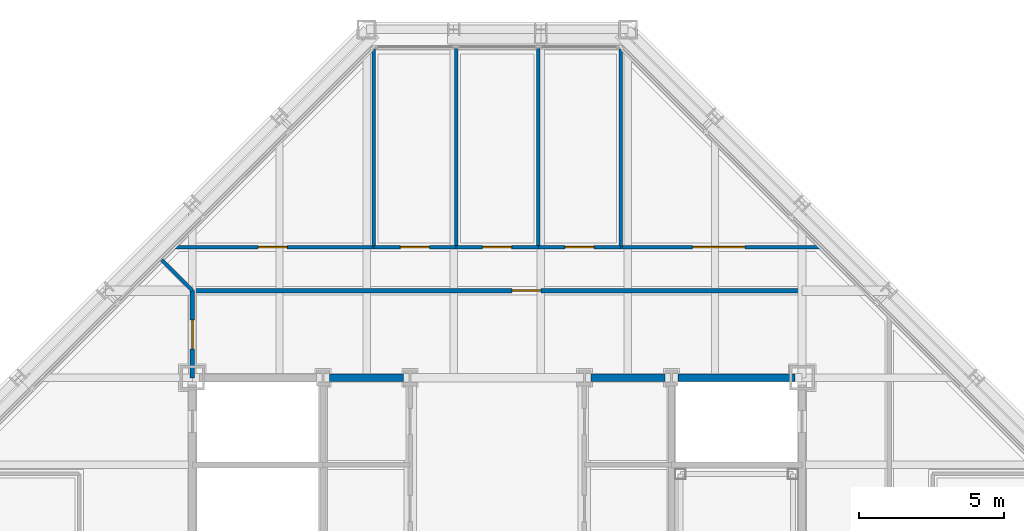
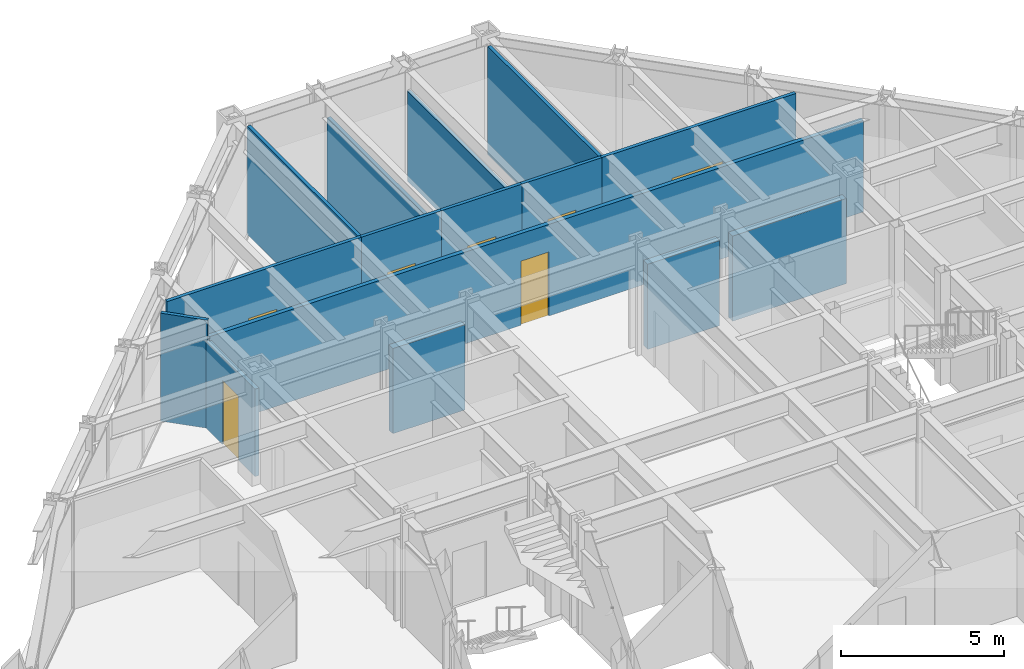
# One storey, part 12 of 15: 15 walls, 7 doors, 7 openings.
"""IFC4 building model written with IfcOpenShell, lengths in metres."""

import ifcopenshell
import ifcopenshell.guid

model = None  # the IFC model being written
_history = None  # IfcOwnerHistory: only IFC2X3 demands one
_inside = {}  # id of a spatial element -> (the spatial element, [elements in it])
_under = {}  # id of a project, library or spatial element -> (it, [spatial elements below it])
_declared = {}  # id of a project -> (the project, [libraries it declares])
_typed = {}  # id of a type object -> (the type object, [elements of that type])
_made_of = {}  # id of a material, layer set ... -> (it, [elements and type objects made of it])


def new_model(schema):
    """Start an empty IFC model of exactly this schema.

    Asked for "IFC4X3", IfcOpenShell would pick the latest addendum, in which some entities
    have other attributes; the version numbers below select the first issue.
    IFC2X3 requires an IfcOwnerHistory on every rooted entity: one is made here for all.
    """
    global model, _history
    if schema == "IFC4X3":
        model = ifcopenshell.file(schema_version=(4, 3, 0, 0))
    else:
        model = ifcopenshell.file(schema=schema)
    _inside.clear()
    _under.clear()
    _declared.clear()
    _typed.clear()
    _made_of.clear()
    _history = None
    if model.schema == "IFC2X3":
        org = make("IfcOrganization", Name="unknown")
        user = make(
            "IfcPersonAndOrganization",
            ThePerson=make("IfcPerson", FamilyName="unknown"),
            TheOrganization=org,
        )
        app = make(
            "IfcApplication",
            ApplicationDeveloper=org,
            Version="unknown",
            ApplicationFullName="unknown",
            ApplicationIdentifier="unknown",
        )
        _history = make(
            "IfcOwnerHistory",
            OwningUser=user,
            OwningApplication=app,
            ChangeAction="ADDED",
            CreationDate=0,
        )
    return model


def make(cls, **values):
    """One entity of the class cls with the attributes given. An attribute that is None is left unset."""
    return model.create_entity(
        cls, **{name: value for name, value in values.items() if value is not None}
    )


def rooted(cls, **values):
    """An entity with a GlobalId (a new one), such as an element, a storey or a relation."""
    return make(cls, GlobalId=ifcopenshell.guid.new(), OwnerHistory=_history, **values)


def si_unit(unit_type, name, prefix=None):
    """IfcSIUnit, for example si_unit("LENGTHUNIT", "METRE", prefix="MILLI")."""
    return make("IfcSIUnit", UnitType=unit_type, Prefix=prefix, Name=name)


def assignment(units):
    """IfcUnitAssignment: the units of a project."""
    return None if units is None else make("IfcUnitAssignment", Units=units)


def point(xyz):
    """IfcCartesianPoint."""
    return None if xyz is None else make("IfcCartesianPoint", Coordinates=xyz)


def direction(xyz):
    """IfcDirection."""
    return None if xyz is None else make("IfcDirection", DirectionRatios=xyz)


def frame(location, z_axis=None, x_axis=None):
    """IfcAxis2Placement3D, a coordinate frame: its origin and axes. An axis left out is left unset."""
    return make(
        "IfcAxis2Placement3D",
        Location=point(location),
        Axis=direction(z_axis),
        RefDirection=direction(x_axis),
    )


def frame_2d(location, x_axis=None):
    """IfcAxis2Placement2D, a coordinate frame in the plane: its origin and x axis."""
    return make(
        "IfcAxis2Placement2D", Location=point(location), RefDirection=direction(x_axis)
    )


def origin():
    """The frame at (0, 0, 0) with its axes left unset."""
    return frame((0.0, 0.0, 0.0))


def place(relative_to, where):
    """IfcLocalPlacement: puts the frame where relative to a parent placement (None: the world)."""
    return make(
        "IfcLocalPlacement", PlacementRelTo=relative_to, RelativePlacement=where
    )


def context(
    kind, dimensions, precision=None, world=None, true_north=None, identifier=None
):
    """IfcGeometricRepresentationContext, for example the 3D "Model" context."""
    return make(
        "IfcGeometricRepresentationContext",
        ContextIdentifier=identifier,
        ContextType=kind,
        CoordinateSpaceDimension=dimensions,
        Precision=precision,
        WorldCoordinateSystem=world,
        TrueNorth=true_north,
    )


def subcontext(parent, identifier, kind, view, scale=None):
    """IfcGeometricRepresentationSubContext, for example "Body" below "Model"."""
    return make(
        "IfcGeometricRepresentationSubContext",
        ContextIdentifier=identifier,
        ContextType=kind,
        ParentContext=parent,
        TargetScale=scale,
        TargetView=view,
    )


def project(units=None, contexts=None):
    """IfcProject with its units and contexts."""
    return rooted(
        "IfcProject",
        Name="project",
        RepresentationContexts=contexts,
        UnitsInContext=assignment(units),
    )


def spatial(cls, under=None, at=None, **own):
    """A site, building, storey or space (cls), placed at a placement, below another one or the project."""
    s = rooted(cls, ObjectPlacement=at, **own)
    if under is not None:
        _under.setdefault(under.id(), (under, []))[1].append(s)
    return s


def profile(cls, at=None, kind="AREA", **sizes):
    """A parametric profile (cls). Its sizes go by their IFC names, for example OverallWidth=200.0."""
    return make(cls, ProfileType=kind, Position=at, **sizes)


def rectangle(**sizes):
    """IfcRectangleProfileDef."""
    return profile("IfcRectangleProfileDef", **sizes)


def extrude(swept, where, along, depth):
    """IfcExtrudedAreaSolid: the profile swept, set in the frame where, extruded along a direction by depth."""
    return make(
        "IfcExtrudedAreaSolid",
        SweptArea=swept,
        Position=where,
        ExtrudedDirection=direction(along),
        Depth=depth,
    )


def shape(context_of_items, identifier, shape_type, items):
    """IfcShapeRepresentation: the items that make up one representation, for example the "Body"."""
    return make(
        "IfcShapeRepresentation",
        ContextOfItems=context_of_items,
        RepresentationIdentifier=identifier,
        RepresentationType=shape_type,
        Items=items,
    )


def material(Name=None, Category=None):
    """IfcMaterial."""
    return make("IfcMaterial", Name=Name, Category=Category)


def layer(
    of_material, thickness, ventilated=None, Name=None, Category=None, Priority=None
):
    """IfcMaterialLayer: one layer of a wall or slab, of a material (None: an air gap)."""
    return make(
        "IfcMaterialLayer",
        Material=of_material,
        LayerThickness=thickness,
        IsVentilated=ventilated,
        Name=Name,
        Category=Category,
        Priority=Priority,
    )


def layer_set(layers, Name=None):
    """IfcMaterialLayerSet."""
    return make("IfcMaterialLayerSet", MaterialLayers=layers, LayerSetName=Name)


def made_of(thing, what):
    """Note that an element or type object is made of a material, layer set ...; save() writes the relation."""
    if what is not None:
        _made_of.setdefault(what.id(), (what, []))[1].append(thing)
    return thing


def type_object(cls, material=None, **own):
    """A type object (cls), such as IfcWallType, which elements share."""
    return made_of(rooted(cls, **own), material)


def element(
    cls,
    number,
    at=None,
    inside=None,
    cuts=None,
    type_object=None,
    material=None,
    context=None,
    identifier="Body",
    shape_type=None,
    held_by="IfcProductDefinitionShape",
    body=None,
    shapes=None,
    **own,
):
    """One element of the class cls, such as IfcWall. Its Tag is "e" and its number.

    at: its placement. inside: the storey or other place that contains it. cuts: it is an
    opening in that element (IfcRelVoidsElement). A single representation is given by context,
    identifier, shape_type and body (its items); several are given by shapes. held_by: the class
    of the entity that holds the representations. save() writes the other relations.
    """
    e = rooted(cls, Tag="e%d" % number, ObjectPlacement=at, **own)
    if body is not None:
        shapes = [shape(context, identifier, shape_type, body)]
    if shapes is not None:
        e.Representation = make(held_by, Representations=shapes)
    if inside is not None:
        _inside.setdefault(inside.id(), (inside, []))[1].append(e)
    if cuts is not None:
        rooted(
            "IfcRelVoidsElement", RelatingBuildingElement=cuts, RelatedOpeningElement=e
        )
    if type_object is not None:
        _typed.setdefault(type_object.id(), (type_object, []))[1].append(e)
    return made_of(e, material)


def fill(opening, filler):
    """IfcRelFillsElement: the door or window that sits in an opening."""
    return rooted(
        "IfcRelFillsElement",
        RelatingOpeningElement=opening,
        RelatedBuildingElement=filler,
    )


def aggregate(whole, parts):
    """IfcRelAggregates: a whole, such as a stair, and the parts it consists of."""
    return rooted("IfcRelAggregates", RelatingObject=whole, RelatedObjects=parts)


def save(model, path):
    """Write the relations noted so far, then the file.

    IfcRelAggregates (storeys below a building ...), IfcRelContainedInSpatialStructure (elements
    in a storey), IfcRelDefinesByType, IfcRelAssociatesMaterial and IfcRelDeclares: one each for
    every whole, place, type object, material and project.
    """
    for whole, parts in _under.values():
        aggregate(whole, parts)
    for where, things in _inside.values():
        rooted(
            "IfcRelContainedInSpatialStructure",
            RelatedElements=things,
            RelatingStructure=where,
        )
    for kind, things in _typed.values():
        rooted("IfcRelDefinesByType", RelatedObjects=things, RelatingType=kind)
    for what, things in _made_of.values():
        rooted("IfcRelAssociatesMaterial", RelatedObjects=things, RelatingMaterial=what)
    for by, libraries in _declared.values():
        rooted("IfcRelDeclares", RelatingContext=by, RelatedDefinitions=libraries)
    model.write(path)


model = new_model("IFC4")

# Units and contexts
model_context = context("Model", 3, precision=1e-05, world=origin(), true_north=direction((0.0, 1.0)))
body_context = subcontext(model_context, "Body", "Model", "MODEL_VIEW")
ifc_project = project(units=[si_unit("LENGTHUNIT", "METRE"), si_unit("AREAUNIT", "SQUARE_METRE"), si_unit("VOLUMEUNIT", "CUBIC_METRE"), si_unit("PLANEANGLEUNIT", "RADIAN"), si_unit("MASSUNIT", "GRAM", prefix="KILO")], contexts=[model_context])

# Site, building, storey
site_placement = place(None, origin())
site = spatial("IfcSite", under=ifc_project, at=site_placement, CompositionType="ELEMENT")
building_placement = place(site_placement, origin())
building = spatial("IfcBuilding", under=site, at=building_placement, Name="Chuquiago Exchange Tower", CompositionType="ELEMENT")
storey_placement = place(building_placement, frame((0.0, 0.0, 279.0)))
storey = spatial("IfcBuildingStorey", under=building, at=storey_placement, Name="L62", CompositionType="ELEMENT", Elevation=279.0)

# Walls
ifc_material_1 = material(Name="Concrete masonry, fully grouted", Category="masonry")
ifc_layer_1 = layer(ifc_material_1, 0.25)
ifc_layer_set_1 = layer_set([ifc_layer_1], Name="W1 core wall 250")
wall_type_1 = type_object("IfcWallType", Name="W1 core wall 250", PredefinedType="SOLIDWALL", material=ifc_layer_set_1)
for number, where, z_axis, x_axis, name in (
    (1, (16.724853515625, 33.0, 0.0), (0.0, 0.0, 1.0), (1.0, 0.0, 0.0), "CW-L62-11-1"),
    (2, (25.724853515625, 33.0, 0.0), (0.0, 0.0, 1.0), (1.0, 0.0, 0.0), "CW-L62-12-0"),
):
    element("IfcWall", number, at=place(storey_placement, frame(where, z_axis=z_axis, x_axis=x_axis)), inside=storey, type_object=wall_type_1, Name=name, PredefinedType="SOLIDWALL", context=body_context, shape_type="SweptSolid", body=[
        extrude(rectangle(XDim=2.55029296875, YDim=0.25, at=frame_2d((1.275146484375, 0.0))), origin(), (0.0, 0.0, 1.0), 3.181396484375),
    ])
wall_1_placement = place(storey_placement, frame((28.724853515625, 33.0, 0.0), z_axis=(0.0, 0.0, 1.0), x_axis=(1.0, 0.0, 0.0)))
element("IfcWall", 3, at=wall_1_placement, inside=storey, type_object=wall_type_1, Name="CW-L62-12-1", PredefinedType="SOLIDWALL", context=body_context, shape_type="SweptSolid", body=[
    extrude(rectangle(XDim=4.025146484375, YDim=0.25, at=frame_2d((2.0126953125, 0.0))), origin(), (0.0, 0.0, 1.0), 3.181396484375),
])

# Wall, opening, door
ifc_material_2 = material(Name="Gypsum board on steel studs, acoustic insulation", Category="steel")
ifc_layer_2 = layer(ifc_material_2, 0.14990234375)
ifc_layer_set_2 = layer_set([ifc_layer_2], Name="W11 corridor wall 150")
wall_type_2 = type_object("IfcWallType", Name="W11 corridor wall 150", PredefinedType="PARTITIONING", material=ifc_layer_set_2)
wall_2_placement = place(storey_placement, frame((12.0, 36.0, 0.0), z_axis=(0.0, 0.0, 1.0), x_axis=(1.0, 0.0, 0.0)))
wall_2 = element("IfcWall", 4, at=wall_2_placement, inside=storey, type_object=wall_type_2, Name="PW-L62-GN0", PredefinedType="PARTITIONING", context=body_context, shape_type="SweptSolid", body=[
    extrude(rectangle(XDim=23.114501953125, YDim=0.14990234375, at=frame_2d((11.55712890625, 0.0))), origin(), (0.0, 0.0, 1.0), 3.427734375),
])
opening_1_placement = place(wall_2_placement, frame((11.005615234375, 0.0, 0.0)))
opening_1 = element("IfcOpeningElement", 5, at=opening_1_placement, cuts=wall_2, Name="Opening L62-038", PredefinedType="OPENING", context=body_context, shape_type="SweptSolid", body=[
    extrude(rectangle(XDim=1.0, YDim=2.39990234375, at=frame_2d((0.5, 1.199951171875))), frame((0.0, 0.0849609375, 0.0), z_axis=(0.0, -1.0, 0.0), x_axis=(1.0, 0.0, 0.0)), (0.0, 0.0, 1.0), 0.169921875),
])
ifc_material_3 = material(Name="Timber door, laminate faced", Category="wood")
door_type_1 = type_object("IfcDoorType", Name="D9 room door 1000x2400", OperationType="SINGLE_SWING_LEFT", PredefinedType="DOOR", material=ifc_material_3)
door_1_placement = place(opening_1_placement, origin())
door_1 = element("IfcDoor", 6, at=door_1_placement, inside=storey, type_object=door_type_1, Name="Team area door", OperationType="SINGLE_SWING_LEFT", OverallHeight=2.39990234375, OverallWidth=1.0, PredefinedType="DOOR", context=body_context, shape_type="SweptSolid", body=[
    extrude(rectangle(XDim=1.0, YDim=2.39990234375, at=frame_2d((0.5, 1.199951171875))), frame((0.0, 0.02490234375, 0.0), z_axis=(0.0, -1.0, 0.0), x_axis=(1.0, 0.0, 0.0)), (0.0, 0.0, 1.0), 0.050048828125),
])
fill(opening_1, door_1)

wall_3_placement = place(storey_placement, frame((12.0, 33.0, 0.0), z_axis=(0.0, 0.0, 1.0), x_axis=(0.0, 1.0, 0.0)))
wall_3 = element("IfcWall", 7, at=wall_3_placement, inside=storey, type_object=wall_type_2, Name="PW-L62-GNW0", PredefinedType="PARTITIONING", context=body_context, shape_type="SweptSolid", body=[
    extrude(rectangle(XDim=3.0, YDim=0.14990234375, at=frame_2d((1.5, 0.0))), origin(), (0.0, 0.0, 1.0), 3.2705078125),
])
opening_2_placement = place(wall_3_placement, frame((1.0, 0.0, 0.0)))
opening_2 = element("IfcOpeningElement", 8, at=opening_2_placement, cuts=wall_3, Name="Opening L62-041", PredefinedType="OPENING", context=body_context, shape_type="SweptSolid", body=[
    extrude(rectangle(XDim=1.0, YDim=2.39990234375, at=frame_2d((0.5, 1.199951171875))), frame((0.0, 0.0849609375, 0.0), z_axis=(0.0, -1.0, 0.0), x_axis=(1.0, 0.0, 0.0)), (0.0, 0.0, 1.0), 0.169921875),
])
door_2_placement = place(opening_2_placement, origin())
door_2 = element("IfcDoor", 9, at=door_2_placement, inside=storey, type_object=door_type_1, Name="Team area door", OperationType="SINGLE_SWING_LEFT", OverallHeight=2.39990234375, OverallWidth=1.0, PredefinedType="DOOR", context=body_context, shape_type="SweptSolid", body=[
    extrude(rectangle(XDim=1.0, YDim=2.39990234375, at=frame_2d((0.5, 1.199951171875))), frame((0.0, 0.02490234375, 0.0), z_axis=(0.0, -1.0, 0.0), x_axis=(1.0, 0.0, 0.0)), (0.0, 0.0, 1.0), 0.050048828125),
])
fill(opening_2, door_2)

# Walls
ifc_material_4 = material(Name="Gypsum board on steel studs", Category="steel")
ifc_layer_3 = layer(ifc_material_4, 0.1201171875)
ifc_layer_set_3 = layer_set([ifc_layer_3], Name="W4 partition 120")
wall_type_3 = type_object("IfcWallType", Name="W4 partition 120", PredefinedType="PARTITIONING", material=ifc_layer_set_3)
wall_4_placement = place(storey_placement, frame((18.24853515625, 44.333984375, 0.0), z_axis=(0.0, 0.0, 1.0), x_axis=(0.0, -1.0, 0.0)))
element("IfcWall", 10, at=wall_4_placement, inside=storey, type_object=wall_type_3, Name="PW-L62-N01825", PredefinedType="PARTITIONING", context=body_context, shape_type="SweptSolid", body=[
    extrude(rectangle(XDim=6.833984375, YDim=0.1201171875, at=frame_2d((3.4169921875, 0.0))), origin(), (0.0, 0.0, 1.0), 4.0400390625),
])
for number, where, z_axis, x_axis, name in (
    (11, (21.082763671875, 44.347412109375, 0.0), (0.0, 0.0, 1.0), (0.0, -1.0, 0.0), "PW-L62-N02108"),
    (12, (23.917236328125, 44.347412109375, 0.0), (0.0, 0.0, 1.0), (0.0, -1.0, 0.0), "PW-L62-N02392"),
):
    element("IfcWall", number, at=place(storey_placement, frame(where, z_axis=z_axis, x_axis=x_axis)), inside=storey, type_object=wall_type_3, Name=name, PredefinedType="PARTITIONING", context=body_context, shape_type="SweptSolid", body=[
        extrude(rectangle(XDim=6.847412109375, YDim=0.1201171875, at=frame_2d((3.423828125, 0.0))), origin(), (0.0, 0.0, 1.0), 3.356689453125),
    ])
wall_5_placement = place(storey_placement, frame((26.75146484375, 44.333984375, 0.0), z_axis=(0.0, 0.0, 1.0), x_axis=(0.0, -1.0, 0.0)))
element("IfcWall", 13, at=wall_5_placement, inside=storey, type_object=wall_type_3, Name="PW-L62-N02675", PredefinedType="PARTITIONING", context=body_context, shape_type="SweptSolid", body=[
    extrude(rectangle(XDim=6.833984375, YDim=0.1201171875, at=frame_2d((3.4169921875, 0.0))), origin(), (0.0, 0.0, 1.0), 4.0400390625),
])

# Wall, opening, door
wall_6_placement = place(storey_placement, frame((11.385498046875, 37.5, 0.0), z_axis=(0.0, 0.0, 1.0), x_axis=(1.0, 0.0, 0.0)))
wall_6 = element("IfcWall", 14, at=wall_6_placement, inside=storey, type_object=wall_type_3, Name="PW-L62-NF00942", PredefinedType="PARTITIONING", context=body_context, shape_type="SweptSolid", body=[
    extrude(rectangle(XDim=6.863037109375, YDim=0.1201171875, at=frame_2d((3.431640625, 0.0))), origin(), (0.0, 0.0, 1.0), 4.0400390625),
])
opening_3_placement = place(wall_6_placement, frame((2.87939453125, 0.0, 0.0)))
opening_3 = element("IfcOpeningElement", 15, at=opening_3_placement, cuts=wall_6, Name="Opening L62-030", PredefinedType="OPENING", context=body_context, shape_type="SweptSolid", body=[
    extrude(rectangle(XDim=1.0, YDim=2.39990234375, at=frame_2d((0.5, 1.199951171875))), frame((0.0, 0.070068359375, 0.0), z_axis=(0.0, -1.0, 0.0), x_axis=(1.0, 0.0, 0.0)), (0.0, 0.0, 1.0), 0.14013671875),
])
ifc_material_5 = material(Name="Timber frame door, full height glazed panel", Category="wood")
door_type_2 = type_object("IfcDoorType", Name="D14 glazed meeting room door 1000x2400", OperationType="SINGLE_SWING_LEFT", PredefinedType="DOOR", material=ifc_material_5)
door_3_placement = place(opening_3_placement, origin())
door_3 = element("IfcDoor", 16, at=door_3_placement, inside=storey, type_object=door_type_2, Name="Meeting room door", OperationType="SINGLE_SWING_LEFT", OverallHeight=2.39990234375, OverallWidth=1.0, PredefinedType="DOOR", context=body_context, shape_type="SweptSolid", body=[
    extrude(rectangle(XDim=1.0, YDim=2.39990234375, at=frame_2d((0.5, 1.199951171875))), frame((0.0, 0.02490234375, 0.0), z_axis=(0.0, -1.0, 0.0), x_axis=(1.0, 0.0, 0.0)), (0.0, 0.0, 1.0), 0.050048828125),
])
fill(opening_3, door_3)

wall_7_placement = place(storey_placement, frame((18.24853515625, 37.5, 0.0), z_axis=(0.0, 0.0, 1.0), x_axis=(1.0, 0.0, 0.0)))
wall_7 = element("IfcWall", 17, at=wall_7_placement, inside=storey, type_object=wall_type_3, Name="PW-L62-NF01825", PredefinedType="PARTITIONING", context=body_context, shape_type="SweptSolid", body=[
    extrude(rectangle(XDim=2.834228515625, YDim=0.1201171875, at=frame_2d((1.4169921875, 0.0))), origin(), (0.0, 0.0, 1.0), 4.0400390625),
])
opening_4_placement = place(wall_7_placement, frame((0.9169921875, 0.0, 0.0)))
opening_4 = element("IfcOpeningElement", 18, at=opening_4_placement, cuts=wall_7, Name="Opening L62-031", PredefinedType="OPENING", context=body_context, shape_type="SweptSolid", body=[
    extrude(rectangle(XDim=1.0, YDim=2.39990234375, at=frame_2d((0.5, 1.199951171875))), frame((0.0, 0.070068359375, 0.0), z_axis=(0.0, -1.0, 0.0), x_axis=(1.0, 0.0, 0.0)), (0.0, 0.0, 1.0), 0.14013671875),
])
door_4_placement = place(opening_4_placement, origin())
door_4 = element("IfcDoor", 19, at=door_4_placement, inside=storey, type_object=door_type_1, Name="Executive office door", OperationType="SINGLE_SWING_LEFT", OverallHeight=2.39990234375, OverallWidth=1.0, PredefinedType="DOOR", context=body_context, shape_type="SweptSolid", body=[
    extrude(rectangle(XDim=1.0, YDim=2.39990234375, at=frame_2d((0.5, 1.199951171875))), frame((0.0, 0.02490234375, 0.0), z_axis=(0.0, -1.0, 0.0), x_axis=(1.0, 0.0, 0.0)), (0.0, 0.0, 1.0), 0.050048828125),
])
fill(opening_4, door_4)

wall_8_placement = place(storey_placement, frame((21.082763671875, 37.5, 0.0), z_axis=(0.0, 0.0, 1.0), x_axis=(1.0, 0.0, 0.0)))
wall_8 = element("IfcWall", 20, at=wall_8_placement, inside=storey, type_object=wall_type_3, Name="PW-L62-NF02108", PredefinedType="PARTITIONING", context=body_context, shape_type="SweptSolid", body=[
    extrude(rectangle(XDim=2.83447265625, YDim=0.1201171875, at=frame_2d((1.417236328125, 0.0))), origin(), (0.0, 0.0, 1.0), 4.0400390625),
])
opening_5_placement = place(wall_8_placement, frame((0.917236328125, 0.0, 0.0)))
opening_5 = element("IfcOpeningElement", 21, at=opening_5_placement, cuts=wall_8, Name="Opening L62-032", PredefinedType="OPENING", context=body_context, shape_type="SweptSolid", body=[
    extrude(rectangle(XDim=1.0, YDim=2.39990234375, at=frame_2d((0.5, 1.199951171875))), frame((0.0, 0.070068359375, 0.0), z_axis=(0.0, -1.0, 0.0), x_axis=(1.0, 0.0, 0.0)), (0.0, 0.0, 1.0), 0.14013671875),
])
door_5_placement = place(opening_5_placement, origin())
door_5 = element("IfcDoor", 22, at=door_5_placement, inside=storey, type_object=door_type_2, Name="Meeting room door", OperationType="SINGLE_SWING_LEFT", OverallHeight=2.39990234375, OverallWidth=1.0, PredefinedType="DOOR", context=body_context, shape_type="SweptSolid", body=[
    extrude(rectangle(XDim=1.0, YDim=2.39990234375, at=frame_2d((0.5, 1.199951171875))), frame((0.0, 0.02490234375, 0.0), z_axis=(0.0, -1.0, 0.0), x_axis=(1.0, 0.0, 0.0)), (0.0, 0.0, 1.0), 0.050048828125),
])
fill(opening_5, door_5)

wall_9_placement = place(storey_placement, frame((23.917236328125, 37.5, 0.0), z_axis=(0.0, 0.0, 1.0), x_axis=(1.0, 0.0, 0.0)))
wall_9 = element("IfcWall", 23, at=wall_9_placement, inside=storey, type_object=wall_type_3, Name="PW-L62-NF02392", PredefinedType="PARTITIONING", context=body_context, shape_type="SweptSolid", body=[
    extrude(rectangle(XDim=2.834228515625, YDim=0.1201171875, at=frame_2d((1.4169921875, 0.0))), origin(), (0.0, 0.0, 1.0), 4.0400390625),
])
opening_6_placement = place(wall_9_placement, frame((0.9169921875, 0.0, 0.0)))
opening_6 = element("IfcOpeningElement", 24, at=opening_6_placement, cuts=wall_9, Name="Opening L62-033", PredefinedType="OPENING", context=body_context, shape_type="SweptSolid", body=[
    extrude(rectangle(XDim=1.0, YDim=2.39990234375, at=frame_2d((0.5, 1.199951171875))), frame((0.0, 0.070068359375, 0.0), z_axis=(0.0, -1.0, 0.0), x_axis=(1.0, 0.0, 0.0)), (0.0, 0.0, 1.0), 0.14013671875),
])
door_6_placement = place(opening_6_placement, origin())
door_6 = element("IfcDoor", 25, at=door_6_placement, inside=storey, type_object=door_type_1, Name="Executive office door", OperationType="SINGLE_SWING_LEFT", OverallHeight=2.39990234375, OverallWidth=1.0, PredefinedType="DOOR", context=body_context, shape_type="SweptSolid", body=[
    extrude(rectangle(XDim=1.0, YDim=2.39990234375, at=frame_2d((0.5, 1.199951171875))), frame((0.0, 0.02490234375, 0.0), z_axis=(0.0, -1.0, 0.0), x_axis=(1.0, 0.0, 0.0)), (0.0, 0.0, 1.0), 0.050048828125),
])
fill(opening_6, door_6)

wall_10_placement = place(storey_placement, frame((26.75146484375, 37.5, 0.0), z_axis=(0.0, 0.0, 1.0), x_axis=(1.0, 0.0, 0.0)))
wall_10 = element("IfcWall", 26, at=wall_10_placement, inside=storey, type_object=wall_type_3, Name="PW-L62-NF02675", PredefinedType="PARTITIONING", context=body_context, shape_type="SweptSolid", body=[
    extrude(rectangle(XDim=6.863037109375, YDim=0.1201171875, at=frame_2d((3.431640625, 0.0))), origin(), (0.0, 0.0, 1.0), 4.0400390625),
])
opening_7_placement = place(wall_10_placement, frame((2.479248046875, 0.0, 0.0)))
opening_7 = element("IfcOpeningElement", 27, at=opening_7_placement, cuts=wall_10, Name="Opening L62-034", PredefinedType="OPENING", context=body_context, shape_type="SweptSolid", body=[
    extrude(rectangle(XDim=1.800048828125, YDim=2.39990234375, at=frame_2d((0.89990234375, 1.199951171875))), frame((0.0, 0.070068359375, 0.0), z_axis=(0.0, -1.0, 0.0), x_axis=(1.0, 0.0, 0.0)), (0.0, 0.0, 1.0), 0.14013671875),
])
ifc_material_6 = material(Name="Timber door pair, laminate faced", Category="wood")
door_type_3 = type_object("IfcDoorType", Name="D15 double room door 1800x2400", OperationType="DOUBLE_DOOR_DOUBLE_SWING", PredefinedType="DOOR", material=ifc_material_6)
door_7_placement = place(opening_7_placement, origin())
door_7 = element("IfcDoor", 28, at=door_7_placement, inside=storey, type_object=door_type_3, Name="Dining room door", OperationType="DOUBLE_DOOR_DOUBLE_SWING", OverallHeight=2.39990234375, OverallWidth=1.800048828125, PredefinedType="DOOR", context=body_context, shape_type="SweptSolid", body=[
    extrude(rectangle(XDim=1.800048828125, YDim=2.39990234375, at=frame_2d((0.89990234375, 1.199951171875))), frame((0.0, 0.02490234375, 0.0), z_axis=(0.0, -1.0, 0.0), x_axis=(1.0, 0.0, 0.0)), (0.0, 0.0, 1.0), 0.050048828125),
])
fill(opening_7, door_7)

# Wall
wall_11_placement = place(storey_placement, frame((12.0, 36.0, 0.0), z_axis=(0.0, 0.0, 1.0), x_axis=(-0.707106781187, 0.707106781187, 0.0)))
element("IfcWall", 29, at=wall_11_placement, inside=storey, type_object=wall_type_3, Name="PW-L62-QNW", PredefinedType="PARTITIONING", context=body_context, shape_type="SweptSolid", body=[
    extrude(rectangle(XDim=1.4892578125, YDim=0.1201171875, at=frame_2d((0.74462890625, 0.0))), origin(), (0.0, 0.0, 1.0), 4.0400390625),
])

save(model, "model.ifc")
